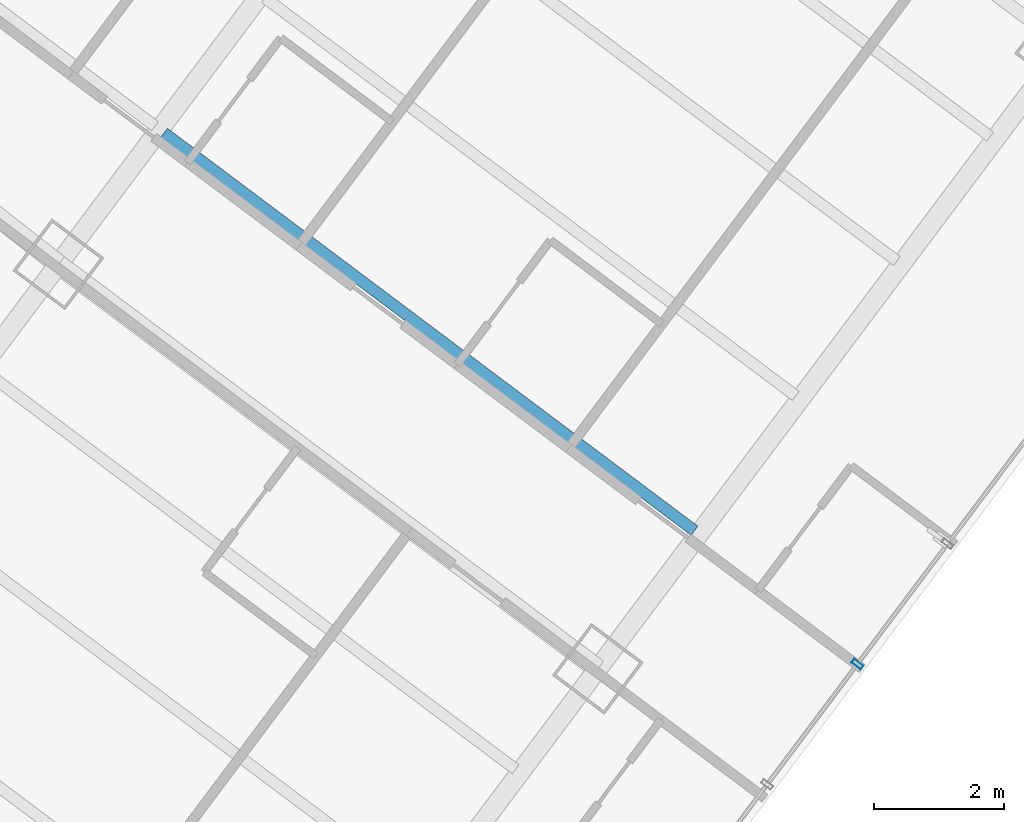
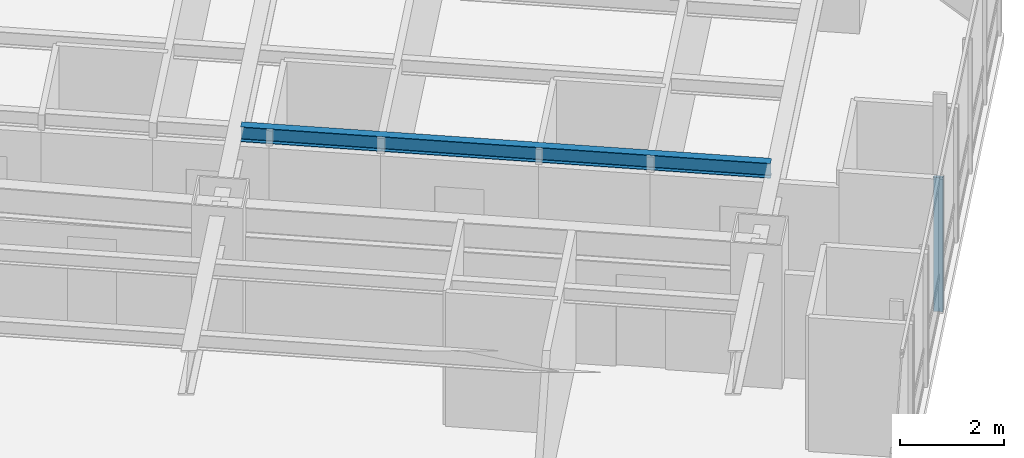
# One storey, part 10 of 38: 1 beam, 1 member, 1 element without a shape of its own.
"""IFC4 building model written with IfcOpenShell, lengths in metres."""

from ifc_helpers import new_model, si_unit, direction, frame, origin, origin_2d, place, context, subcontext, project, spatial, hollow_rectangle, i_section, extrude, material, layer, layer_set, material_profile, profile_set, type_object, element, aggregate, save


model = new_model("IFC4")

# Units and contexts
model_context = context("Model", 3, precision=1e-05, world=origin(), true_north=direction((0.0, 1.0)))
body_context = subcontext(model_context, "Body", "Model", "MODEL_VIEW")
ifc_project = project(units=[si_unit("LENGTHUNIT", "METRE"), si_unit("AREAUNIT", "SQUARE_METRE"), si_unit("VOLUMEUNIT", "CUBIC_METRE"), si_unit("PLANEANGLEUNIT", "RADIAN"), si_unit("MASSUNIT", "GRAM", prefix="KILO")], contexts=[model_context])

# Site, building, storey
site_placement = place(None, origin())
site = spatial("IfcSite", under=ifc_project, at=site_placement, CompositionType="ELEMENT")
building_placement = place(site_placement, origin())
building = spatial("IfcBuilding", under=site, at=building_placement, Name="Hatsunagi Terrace Concourse", CompositionType="ELEMENT")
storey_placement = place(building_placement, frame((0.0, 0.0, 60.050048828125)))
storey = spatial("IfcBuildingStorey", under=building, at=storey_placement, Name="L15", CompositionType="ELEMENT", Elevation=60.050048828125)

# Curtain wall, member
ifc_material_1 = material(Name="Anodised Aluminium Alloy 6063-T5", Category="aluminium")
ifc_layer = layer(ifc_material_1, 0.199951171875)
ifc_layer_set = layer_set([ifc_layer], Name="HotelFacade_CW02")
curtain_wall_type = type_object("IfcCurtainWallType", Name="HotelFacade_CW02", PredefinedType="NOTDEFINED", material=ifc_layer_set)
curtain_wall_placement = place(storey_placement, origin())
curtain_wall = element("IfcCurtainWall", 1, at=curtain_wall_placement, inside=storey, type_object=curtain_wall_type, Name="Unitised Curtain Wall CW-02 CW-L15-03", PredefinedType="NOTDEFINED")
ifc_material_2 = material(Name="Anodised Aluminium Alloy 6063-T5", Category="aluminium")
ifc_material_profile_1 = material_profile(ifc_material_2, hollow_rectangle(XDim=0.070068359375, YDim=0.179931640625, WallThickness=0.00390625, at=origin_2d()), Name="ALU-MUL-180x70x4")
ifc_profile_set_1 = profile_set([ifc_material_profile_1], Name="Anodised Aluminium Alloy 6063-T5")
member_type = type_object("IfcMemberType", Name="CurtainWallMullion_180x70", PredefinedType="MULLION", material=ifc_profile_set_1)
member_placement = place(storey_placement, frame((63.52392578125, 12.23193359375, 0.0), z_axis=(0.0, 0.0, 1.0), x_axis=(-0.599969314634, -0.800023013105, 0.0)))
member = element("IfcMember", 2, at=member_placement, type_object=member_type, Name="Curtain Wall Mullion MUL-02", PredefinedType="MULLION", context=body_context, shape_type="SweptSolid", body=[
    extrude(hollow_rectangle(XDim=0.070068359375, YDim=0.179931640625, WallThickness=0.00390625, at=origin_2d()), origin(), (0.0, 0.0, 1.0), 3.1298828125),
])
aggregate(curtain_wall, [member])

# Beam
ifc_material_3 = material(Name="Steel SN490B", Category="steel")
ifc_material_profile_2 = material_profile(ifc_material_3, i_section(OverallWidth=0.175048828125, OverallDepth=0.35009765625, WebThickness=0.007080078125, FlangeThickness=0.010986328125, FilletRadius=0.012939453125, at=origin_2d()), Name="H-350x175x7x11")
ifc_profile_set_2 = profile_set([ifc_material_profile_2], Name="Steel SN490B")
beam_type = type_object("IfcBeamType", Name="HotelJoist_H_350x175", PredefinedType="JOIST", material=ifc_profile_set_2)
beam_placement = place(storey_placement, frame((52.827880859375, 20.428955078125, 2.954833984375), z_axis=(0.800005727586, -0.599992363142, 0.0), x_axis=(0.599992363142, 0.800005727586, 0.0)))
element("IfcBeam", 3, at=beam_placement, inside=storey, type_object=beam_type, Name="Beam J-02 J-L15-SE-3-142", PredefinedType="JOIST", context=body_context, shape_type="SweptSolid", body=[
    extrude(i_section(OverallWidth=0.175048828125, OverallDepth=0.35009765625, WebThickness=0.007080078125, FlangeThickness=0.010986328125, FilletRadius=0.012939453125, at=origin_2d()), origin(), (0.0, 0.0, 1.0), 10.22998046875),
])

save(model, "model.ifc")
